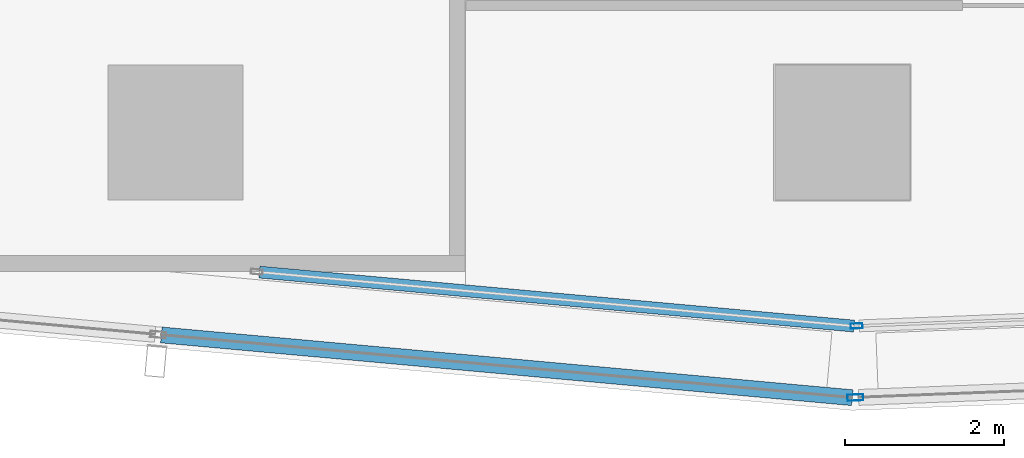
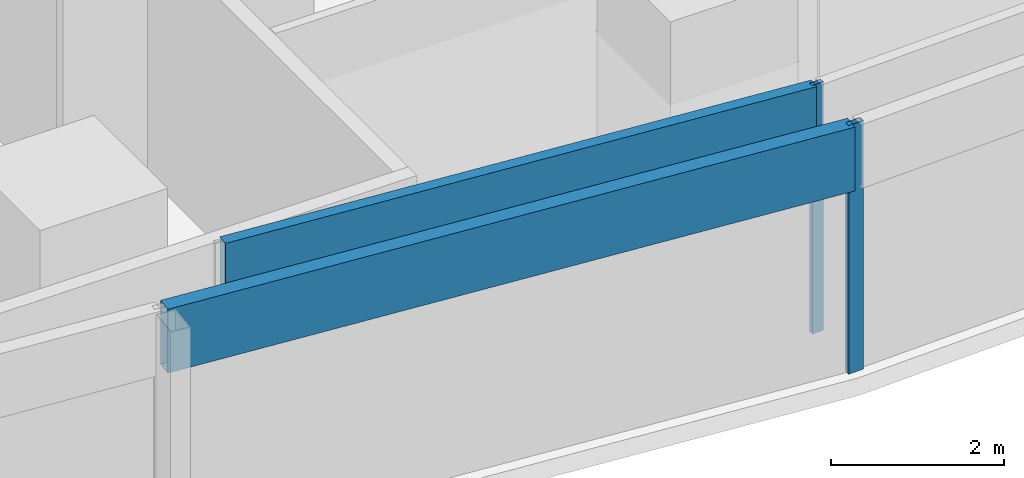
# One storey, part 3 of 38: 4 members, 4 elements without a shape of their own.
"""IFC4 building model written with IfcOpenShell, lengths in metres."""

from ifc_helpers import new_model, si_unit, direction, frame, origin, origin_2d, place, context, subcontext, project, spatial, hollow_rectangle, extrude, material, material_profile, profile_set, type_object, element, aggregate, save


model = new_model("IFC4")

# Units and contexts
model_context = context("Model", 3, precision=1e-05, world=origin(), true_north=direction((0.0, 1.0)))
body_context = subcontext(model_context, "Body", "Model", "MODEL_VIEW")
ifc_project = project(units=[si_unit("LENGTHUNIT", "METRE"), si_unit("AREAUNIT", "SQUARE_METRE"), si_unit("VOLUMEUNIT", "CUBIC_METRE"), si_unit("PLANEANGLEUNIT", "RADIAN"), si_unit("MASSUNIT", "GRAM", prefix="KILO")], contexts=[model_context])

# Site, building, storey
site_placement = place(None, origin())
site = spatial("IfcSite", under=ifc_project, at=site_placement, CompositionType="ELEMENT")
building_placement = place(site_placement, origin())
building = spatial("IfcBuilding", under=site, at=building_placement, Name="Rekha Terrace Tower", CompositionType="ELEMENT")
storey_placement = place(building_placement, frame((0.0, 0.0, 114.050048828125)))
storey = spatial("IfcBuildingStorey", under=building, at=storey_placement, Name="L28", CompositionType="ELEMENT", Elevation=114.050048828125)

# Curtain wall, member
ifc_material_1 = material(Name="Aluminium framing", Category="aluminium")
curtain_wall_type_1 = type_object("IfcCurtainWallType", Name="CW1 double skin inner glazing", PredefinedType="USERDEFINED", material=ifc_material_1)
curtain_wall_1_placement = place(storey_placement, origin())
curtain_wall_1 = element("IfcCurtainWall", 1, at=curtain_wall_1_placement, inside=storey, type_object=curtain_wall_type_1, Name="CW1 double skin inner glazing", ObjectType="DOUBLE SKIN INNER GLAZING", PredefinedType="USERDEFINED")
ifc_material_2 = material(Name="Aluminium mullion section", Category="aluminium")
ifc_material_profile_1 = material_profile(ifc_material_2, hollow_rectangle(XDim=0.06494140625, YDim=0.14990234375, WallThickness=0.00390625, at=origin_2d()), Name="AL RHS 65x150")
ifc_profile_set_1 = profile_set([ifc_material_profile_1], Name="Aluminium mullion section")
member_type_1 = type_object("IfcMemberType", Name="CW1 mullion RHS 65 x 150", PredefinedType="MULLION", material=ifc_profile_set_1)
member_1_placement = place(storey_placement, frame((25.3798828125, 14.363037109375, 0.0), z_axis=(0.0, 0.0, 1.0), x_axis=(-0.038889971345, 0.999243498917, 0.0)))
member_1 = element("IfcMember", 2, at=member_1_placement, type_object=member_type_1, Name="CW1 mullion 1", PredefinedType="MULLION", context=body_context, shape_type="SweptSolid", body=[
    extrude(hollow_rectangle(XDim=0.06494140625, YDim=0.14990234375, WallThickness=0.00390625, at=origin_2d()), origin(), (0.0, 0.0, 1.0), 3.5),
])
aggregate(curtain_wall_1, [member_1])

curtain_wall_2_placement = place(storey_placement, origin())
curtain_wall_2 = element("IfcCurtainWall", 3, at=curtain_wall_2_placement, inside=storey, type_object=curtain_wall_type_1, Name="CW1 double skin inner glazing", ObjectType="DOUBLE SKIN INNER GLAZING", PredefinedType="USERDEFINED")
ifc_material_3 = material(Name="Insulated aluminium spandrel box", Category="aluminium")
ifc_material_profile_2 = material_profile(ifc_material_3, hollow_rectangle(XDim=0.14990234375, YDim=0.89990234375, WallThickness=0.0029296875, at=origin_2d()), Name="AL SPANDREL BOX 150x900")
ifc_profile_set_2 = profile_set([ifc_material_profile_2], Name="Insulated aluminium spandrel box")
member_type_2 = type_object("IfcMemberType", Name="CW1 spandrel transom 150 x 900", PredefinedType="USERDEFINED", material=ifc_profile_set_2)
member_2_placement = place(storey_placement, frame((17.856689453125, 15.042236328125, 3.050048828125), z_axis=(0.995899855167, -0.090462580547, 0.0), x_axis=(0.090462580547, 0.995899855167, 0.0)))
member_2 = element("IfcMember", 4, at=member_2_placement, type_object=member_type_2, Name="CW1 spandrel transom 1", ObjectType="TRANSOM", PredefinedType="USERDEFINED", context=body_context, shape_type="SweptSolid", body=[
    extrude(hollow_rectangle(XDim=0.14990234375, YDim=0.89990234375, WallThickness=0.0029296875, at=origin_2d()), origin(), (0.0, 0.0, 1.0), 7.521484375),
])
aggregate(curtain_wall_2, [member_2])

curtain_wall_type_2 = type_object("IfcCurtainWallType", Name="CW2 double skin outer glazing", PredefinedType="USERDEFINED", material=ifc_material_1)
curtain_wall_3_placement = place(storey_placement, origin())
curtain_wall_3 = element("IfcCurtainWall", 5, at=curtain_wall_3_placement, inside=storey, type_object=curtain_wall_type_2, Name="CW2 double skin outer glazing", ObjectType="DOUBLE SKIN OUTER GLAZING", PredefinedType="USERDEFINED")
ifc_material_profile_3 = material_profile(ifc_material_2, hollow_rectangle(XDim=0.080078125, YDim=0.199951171875, WallThickness=0.00390625, at=origin_2d()), Name="AL RHS 80x200")
ifc_profile_set_3 = profile_set([ifc_material_profile_3], Name="Aluminium mullion section")
member_type_3 = type_object("IfcMemberType", Name="CW2 mullion RHS 80 x 200", PredefinedType="MULLION", material=ifc_profile_set_3)
member_3_placement = place(storey_placement, frame((25.364013671875, 13.4619140625, 0.0), z_axis=(0.0, 0.0, 1.0), x_axis=(-0.038889971345, 0.999243498917, 0.0)))
member_3 = element("IfcMember", 6, at=member_3_placement, type_object=member_type_3, Name="CW2 mullion 1", PredefinedType="MULLION", context=body_context, shape_type="SweptSolid", body=[
    extrude(hollow_rectangle(XDim=0.080078125, YDim=0.199951171875, WallThickness=0.00390625, at=origin_2d()), origin(), (0.0, 0.0, 1.0), 3.5),
])
aggregate(curtain_wall_3, [member_3])

curtain_wall_4_placement = place(storey_placement, origin())
curtain_wall_4 = element("IfcCurtainWall", 7, at=curtain_wall_4_placement, inside=storey, type_object=curtain_wall_type_2, Name="CW2 double skin outer glazing", ObjectType="DOUBLE SKIN OUTER GLAZING", PredefinedType="USERDEFINED")
ifc_material_profile_4 = material_profile(ifc_material_3, hollow_rectangle(XDim=0.199951171875, YDim=0.89990234375, WallThickness=0.0029296875, at=origin_2d()), Name="AL SPANDREL BOX 200x900")
ifc_profile_set_4 = profile_set([ifc_material_profile_4], Name="Insulated aluminium spandrel box")
member_type_4 = type_object("IfcMemberType", Name="CW2 spandrel transom 200 x 900", PredefinedType="USERDEFINED", material=ifc_profile_set_4)
member_4_placement = place(storey_placement, frame((16.6220703125, 14.25048828125, 3.050048828125), z_axis=(0.995901675783, -0.090442535196, 0.0), x_axis=(0.090442535196, 0.995901675783, 0.0)))
member_4 = element("IfcMember", 8, at=member_4_placement, type_object=member_type_4, Name="CW2 spandrel transom 2", ObjectType="TRANSOM", PredefinedType="USERDEFINED", context=body_context, shape_type="SweptSolid", body=[
    extrude(hollow_rectangle(XDim=0.199951171875, YDim=0.89990234375, WallThickness=0.0029296875, at=origin_2d()), origin(), (0.0, 0.0, 1.0), 8.738037109375),
])
aggregate(curtain_wall_4, [member_4])

save(model, "model.ifc")
